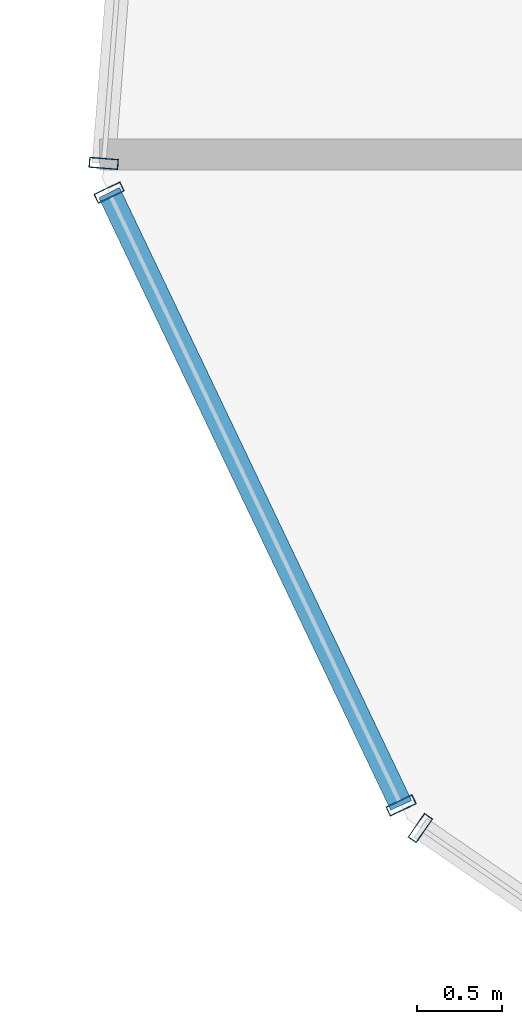
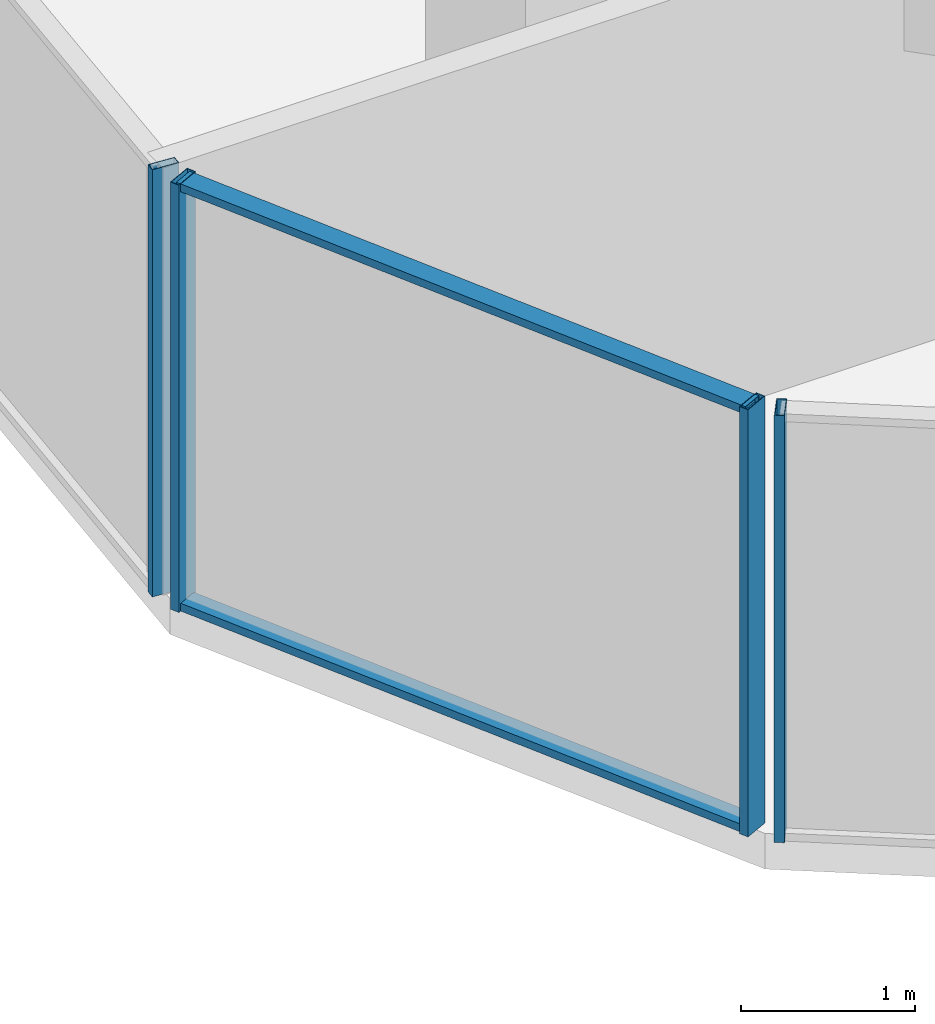
# One storey, part 4 of 30: 6 members, 3 elements without a shape of their own.
"""IFC4 building model written with IfcOpenShell, lengths in metres."""

from ifc_helpers import new_model, si_unit, direction, frame, origin, origin_2d, place, context, subcontext, project, spatial, hollow_rectangle, extrude, source, transform, mapped, material, layer, layer_set, material_profile, profile_set, type_object, element, aggregate, save


model = new_model("IFC4")

# Units and contexts
model_context = context("Model", 3, precision=1e-05, world=origin(), true_north=direction((0.0, 1.0)))
body_context = subcontext(model_context, "Body", "Model", "MODEL_VIEW")
ifc_project = project(units=[si_unit("LENGTHUNIT", "METRE"), si_unit("AREAUNIT", "SQUARE_METRE"), si_unit("VOLUMEUNIT", "CUBIC_METRE"), si_unit("PLANEANGLEUNIT", "RADIAN"), si_unit("MASSUNIT", "GRAM", prefix="KILO")], contexts=[model_context])

# Site, building, storey
site_placement = place(None, origin())
site = spatial("IfcSite", under=ifc_project, at=site_placement, CompositionType="ELEMENT")
building_placement = place(site_placement, origin())
building = spatial("IfcBuilding", under=site, at=building_placement, Name="Veraguas Prism Commons", CompositionType="ELEMENT")
storey_placement = place(building_placement, frame((0.0, 0.0, 113.25)))
storey = spatial("IfcBuildingStorey", under=building, at=storey_placement, Name="L31", CompositionType="ELEMENT", Elevation=113.25)

# Curtain wall, member
ifc_material = material(Name="Anodised aluminium EN AW-6063 T6", Category="aluminium")
ifc_layer = layer(ifc_material, 0.169921875, Name="Unitised Flush Curtain Wall Zone 2", Category="aluminium")
ifc_layer_set = layer_set([ifc_layer], Name="Anodised aluminium EN AW-6063 T6")
curtain_wall_type = type_object("IfcCurtainWallType", Name="Unitised Flush Curtain Wall Zone 2", PredefinedType="NOTDEFINED", material=ifc_layer_set)
curtain_wall_1_placement = place(storey_placement, origin())
curtain_wall_1 = element("IfcCurtainWall", 1, at=curtain_wall_1_placement, inside=storey, type_object=curtain_wall_type, Name="Tower Facade Curtain Wall L31-F3", PredefinedType="NOTDEFINED")
ifc_material_profile_1 = material_profile(ifc_material, hollow_rectangle(XDim=0.06005859375, YDim=0.169921875, WallThickness=0.00390625, at=origin_2d()), Name="AL60X170X4")
ifc_profile_set_1 = profile_set([ifc_material_profile_1], Name="Anodised aluminium EN AW-6063 T6")
member_type_1 = type_object("IfcMemberType", Name="Curtain Wall Mullion Lower AL 60x170x4", PredefinedType="MULLION", material=ifc_profile_set_1)
shared_shape_1 = source(origin(), body_context, "Body", "SweptSolid", [
    extrude(hollow_rectangle(XDim=0.06005859375, YDim=0.169921875, WallThickness=0.00390625, at=origin_2d()), origin(), (0.0, 0.0, 1.0), 3.0),
])
member_1_placement = place(storey_placement, frame((4.200439453125, 16.951171875, 0.0), z_axis=(0.0, 0.0, 1.0), x_axis=(-0.078807080738, -0.996889885607, 0.0)))
member_1 = element("IfcMember", 2, at=member_1_placement, type_object=member_type_1, Name="CW-Z2 Mullion 5", PredefinedType="MULLION", context=body_context, shape_type="MappedRepresentation", body=[
    mapped(shared_shape_1, transform((0.0, 0.0, 0.0), scale=1.0)),
])
aggregate(curtain_wall_1, [member_1])

curtain_wall_2_placement = place(storey_placement, origin())
curtain_wall_2 = element("IfcCurtainWall", 3, at=curtain_wall_2_placement, inside=storey, type_object=curtain_wall_type, Name="Tower Facade Curtain Wall L31-F4", PredefinedType="NOTDEFINED")
member_2_placement = place(storey_placement, frame((6.05419921875, 13.061279296875, 0.0), z_axis=(0.0, 0.0, 1.0), x_axis=(0.823930403472, -0.566691000664, 0.0)))
member_2 = element("IfcMember", 4, at=member_2_placement, type_object=member_type_1, Name="CW-Z2 Mullion 1", PredefinedType="MULLION", context=body_context, shape_type="MappedRepresentation", body=[
    mapped(shared_shape_1, transform((0.0, 0.0, 0.0), scale=1.0)),
])
aggregate(curtain_wall_2, [member_2])

# Curtain wall, members
curtain_wall_3_placement = place(storey_placement, origin())
curtain_wall_3 = element("IfcCurtainWall", 5, at=curtain_wall_3_placement, inside=storey, type_object=curtain_wall_type, Name="Chamfer Curtain Wall L31-C4", PredefinedType="NOTDEFINED")
member_3_placement = place(storey_placement, frame((4.232177734375, 16.7802734375, 0.0), z_axis=(0.0, 0.0, 1.0), x_axis=(0.430192857743, -0.902737007742, 0.0)))
member_3 = element("IfcMember", 6, at=member_3_placement, type_object=member_type_1, Name="CW-Z2 Mullion 1", PredefinedType="MULLION", context=body_context, shape_type="MappedRepresentation", body=[
    mapped(shared_shape_1, transform((0.0, 0.0, 0.0), scale=1.0)),
])
member_4_placement = place(storey_placement, frame((5.94140625, 13.193603515625, 0.0), z_axis=(0.0, 0.0, 1.0), x_axis=(0.430192857743, -0.902737007742, 0.0)))
member_4 = element("IfcMember", 7, at=member_4_placement, type_object=member_type_1, Name="CW-Z2 Mullion 2", PredefinedType="MULLION", context=body_context, shape_type="MappedRepresentation", body=[
    mapped(shared_shape_1, transform((0.0, 0.0, 0.0), scale=1.0)),
])
ifc_material_profile_2 = material_profile(ifc_material, hollow_rectangle(XDim=0.054931640625, YDim=0.135009765625, WallThickness=0.0029296875, at=origin_2d()), Name="AL55X135X3")
ifc_profile_set_2 = profile_set([ifc_material_profile_2], Name="Anodised aluminium EN AW-6063 T6")
member_type_2 = type_object("IfcMemberType", Name="Curtain Wall Transom Standard AL 55x135x3", PredefinedType="USERDEFINED", material=ifc_profile_set_2)
shared_shape_2 = source(origin(), body_context, "Body", "SweptSolid", [
    extrude(hollow_rectangle(XDim=0.054931640625, YDim=0.135009765625, WallThickness=0.0029296875, at=origin_2d()), origin(), (0.0, 0.0, 1.0), 3.97314453125),
])
member_5_placement = place(storey_placement, frame((4.232177734375, 16.7802734375, 0.027587890625), z_axis=(0.430198322681, -0.902734403444, 0.0), x_axis=(0.0, 0.0, 1.0)))
member_5 = element("IfcMember", 8, at=member_5_placement, type_object=member_type_2, Name="CW-Z2 Transom 1", ObjectType="TRANSOM", PredefinedType="USERDEFINED", context=body_context, shape_type="MappedRepresentation", body=[
    mapped(shared_shape_2, transform((0.0, 0.0, 0.0), scale=1.0)),
])
member_6_placement = place(storey_placement, frame((4.232177734375, 16.7802734375, 2.972412109375), z_axis=(0.430198322681, -0.902734403444, 0.0), x_axis=(0.0, 0.0, 1.0)))
member_6 = element("IfcMember", 9, at=member_6_placement, type_object=member_type_2, Name="CW-Z2 Transom 2", ObjectType="TRANSOM", PredefinedType="USERDEFINED", context=body_context, shape_type="MappedRepresentation", body=[
    mapped(shared_shape_2, transform((0.0, 0.0, 0.0), scale=1.0)),
])
aggregate(curtain_wall_3, [member_3, member_4, member_5, member_6])

save(model, "model.ifc")
